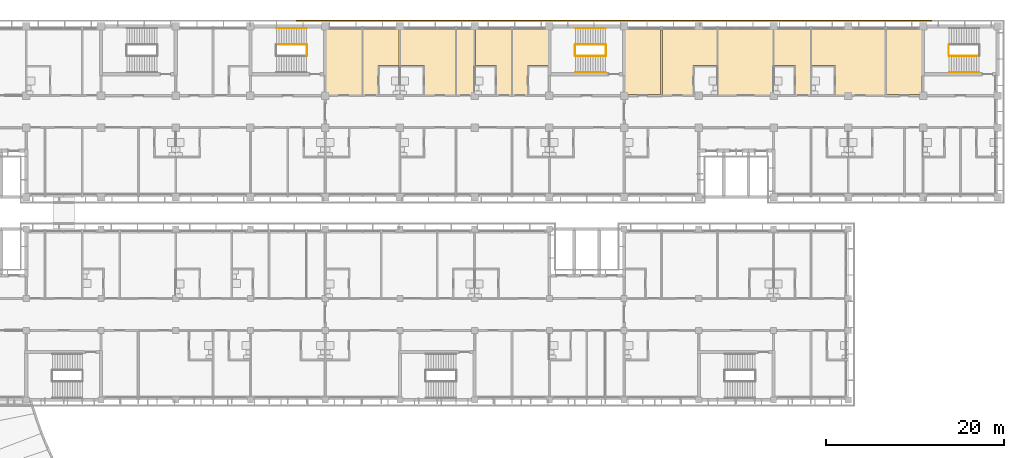
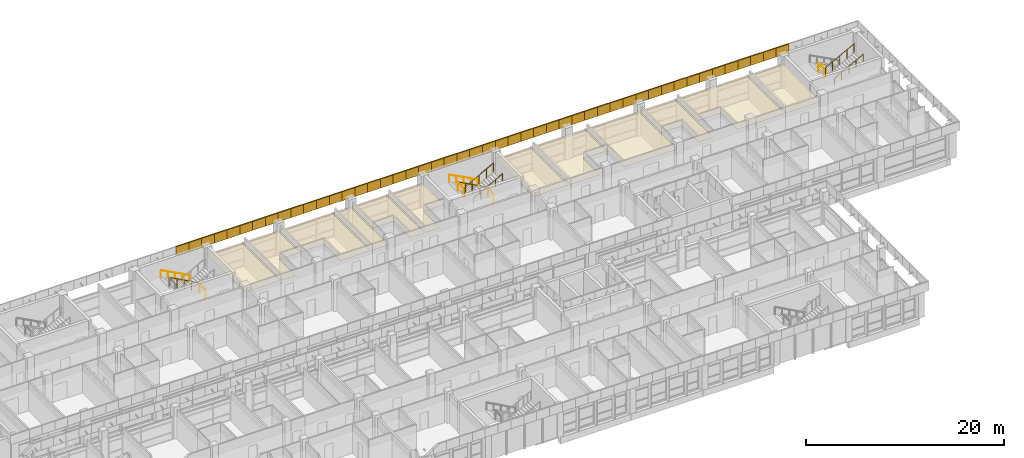
# One storey, part 72 of 74: 60 coverings, 12 railings.
"""IFC4 building model written with IfcOpenShell, lengths in metres."""

from ifc_helpers import new_model, si_unit, direction, frame, origin, origin_2d, place, context, subcontext, project, spatial, polyline, circle, outline, extrude, material, layer, layer_set, type_object, element, save


model = new_model("IFC4")

# Units and contexts
model_context = context("Model", 3, precision=1e-05, world=origin(), true_north=direction((0.0, 1.0)))
body_context = subcontext(model_context, "Body", "Model", "MODEL_VIEW")
ifc_project = project(units=[si_unit("LENGTHUNIT", "METRE"), si_unit("AREAUNIT", "SQUARE_METRE"), si_unit("VOLUMEUNIT", "CUBIC_METRE"), si_unit("PLANEANGLEUNIT", "RADIAN"), si_unit("MASSUNIT", "GRAM", prefix="KILO")], contexts=[model_context])

# Site, building, storey
site_placement = place(None, origin())
site = spatial("IfcSite", under=ifc_project, at=site_placement, CompositionType="ELEMENT")
building_placement = place(site_placement, origin())
building = spatial("IfcBuilding", under=site, at=building_placement, Name="Bougainvillea Quay General Hospital", CompositionType="ELEMENT")
storey_placement = place(building_placement, frame((0.0, 0.0, 21.0)))
storey = spatial("IfcBuildingStorey", under=building, at=storey_placement, Name="L04", CompositionType="ELEMENT", Elevation=21.0)

# Coverings
ifc_material_1 = material(Name="Powder-coated aluminium fascia, white", Category="aluminium")
ifc_layer_1 = layer(ifc_material_1, 0.14990234375)
ifc_layer_set_1 = layer_set([ifc_layer_1], Name="Powder-coated aluminium fascia, white")
covering_type_1 = type_object("IfcCoveringType", Name="Aluminium fascia band white 150x1100", PredefinedType="CLADDING", material=ifc_layer_set_1)
for number, where, z_axis, x_axis, name in (
    (1, (177.362548828125, 160.14990234375, 3.35009765625), (0.0, 0.0, 1.0), (-1.0, 0.0, 0.0), "Fascia band white e0 6"),
    (2, (175.875, 160.14990234375, 3.35009765625), (0.0, 0.0, 1.0), (-1.0, 0.0, 0.0), "Fascia band white e0 7"),
    (3, (174.387451171875, 160.14990234375, 3.35009765625), (0.0, 0.0, 1.0), (-1.0, 0.0, 0.0), "Fascia band white e0 8"),
):
    element("IfcCovering", number, at=place(storey_placement, frame(where, z_axis=z_axis, x_axis=x_axis)), inside=storey, type_object=covering_type_1, Name=name, PredefinedType="CLADDING", context=body_context, shape_type="SweptSolid", body=[
        extrude(outline(polyline([(0.0, 0.0), (1.487548828125, 0.0), (1.487548828125, -0.150146484375), (0.0, -0.150146484375), (0.0, 0.0)])), origin(), (0.0, 0.0, 1.0), 1.10009765625),
    ])
covering_1_placement = place(storey_placement, frame((172.89990234375, 160.14990234375, 3.35009765625), z_axis=(0.0, 0.0, 1.0), x_axis=(-1.0, 0.0, 0.0)))
element("IfcCovering", 4, at=covering_1_placement, inside=storey, type_object=covering_type_1, Name="Fascia band white e0 9", PredefinedType="CLADDING", context=body_context, shape_type="SweptSolid", body=[
    extrude(outline(polyline([(0.0, 0.0), (1.4873046875, 0.0), (1.4873046875, -0.150146484375), (0.0, -0.150146484375), (0.0, 0.0)])), origin(), (0.0, 0.0, 1.0), 1.10009765625),
])
for number, where, z_axis, x_axis, name in (
    (5, (171.41259765625, 160.14990234375, 3.35009765625), (0.0, 0.0, 1.0), (-1.0, 0.0, 0.0), "Fascia band white e0 10"),
    (6, (169.925048828125, 160.14990234375, 3.35009765625), (0.0, 0.0, 1.0), (-1.0, 0.0, 0.0), "Fascia band white e0 11"),
    (7, (168.4375, 160.14990234375, 3.35009765625), (0.0, 0.0, 1.0), (-1.0, 0.0, 0.0), "Fascia band white e0 12"),
    (8, (166.949951171875, 160.14990234375, 3.35009765625), (0.0, 0.0, 1.0), (-1.0, 0.0, 0.0), "Fascia band white e0 13"),
):
    element("IfcCovering", number, at=place(storey_placement, frame(where, z_axis=z_axis, x_axis=x_axis)), inside=storey, type_object=covering_type_1, Name=name, PredefinedType="CLADDING", context=body_context, shape_type="SweptSolid", body=[
        extrude(outline(polyline([(0.0, 0.0), (1.487548828125, 0.0), (1.487548828125, -0.150146484375), (0.0, -0.150146484375), (0.0, 0.0)])), origin(), (0.0, 0.0, 1.0), 1.10009765625),
    ])
covering_2_placement = place(storey_placement, frame((165.46240234375, 160.14990234375, 3.35009765625), z_axis=(0.0, 0.0, 1.0), x_axis=(-1.0, 0.0, 0.0)))
element("IfcCovering", 9, at=covering_2_placement, inside=storey, type_object=covering_type_1, Name="Fascia band white e0 14", PredefinedType="CLADDING", context=body_context, shape_type="SweptSolid", body=[
    extrude(outline(polyline([(0.0, 0.0), (1.4873046875, 0.0), (1.4873046875, -0.150146484375), (0.0, -0.150146484375), (0.0, 0.0)])), origin(), (0.0, 0.0, 1.0), 1.10009765625),
])
for number, where, z_axis, x_axis, name in (
    (10, (163.97509765625, 160.14990234375, 3.35009765625), (0.0, 0.0, 1.0), (-1.0, 0.0, 0.0), "Fascia band white e0 15"),
    (11, (162.487548828125, 160.14990234375, 3.35009765625), (0.0, 0.0, 1.0), (-1.0, 0.0, 0.0), "Fascia band white e0 16"),
    (12, (161.0, 160.14990234375, 3.35009765625), (0.0, 0.0, 1.0), (-1.0, 0.0, 0.0), "Fascia band white e0 17"),
    (13, (159.512451171875, 160.14990234375, 3.35009765625), (0.0, 0.0, 1.0), (-1.0, 0.0, 0.0), "Fascia band white e0 18"),
):
    element("IfcCovering", number, at=place(storey_placement, frame(where, z_axis=z_axis, x_axis=x_axis)), inside=storey, type_object=covering_type_1, Name=name, PredefinedType="CLADDING", context=body_context, shape_type="SweptSolid", body=[
        extrude(outline(polyline([(0.0, 0.0), (1.487548828125, 0.0), (1.487548828125, -0.150146484375), (0.0, -0.150146484375), (0.0, 0.0)])), origin(), (0.0, 0.0, 1.0), 1.10009765625),
    ])
covering_3_placement = place(storey_placement, frame((158.02490234375, 160.14990234375, 3.35009765625), z_axis=(0.0, 0.0, 1.0), x_axis=(-1.0, 0.0, 0.0)))
element("IfcCovering", 14, at=covering_3_placement, inside=storey, type_object=covering_type_1, Name="Fascia band white e0 19", PredefinedType="CLADDING", context=body_context, shape_type="SweptSolid", body=[
    extrude(outline(polyline([(0.0, 0.0), (1.4873046875, 0.0), (1.4873046875, -0.150146484375), (0.0, -0.150146484375), (0.0, 0.0)])), origin(), (0.0, 0.0, 1.0), 1.10009765625),
])
for number, where, z_axis, x_axis, name in (
    (15, (156.53759765625, 160.14990234375, 3.35009765625), (0.0, 0.0, 1.0), (-1.0, 0.0, 0.0), "Fascia band white e0 20"),
    (16, (155.050048828125, 160.14990234375, 3.35009765625), (0.0, 0.0, 1.0), (-1.0, 0.0, 0.0), "Fascia band white e0 21"),
    (17, (153.5625, 160.14990234375, 3.35009765625), (0.0, 0.0, 1.0), (-1.0, 0.0, 0.0), "Fascia band white e0 22"),
    (18, (152.074951171875, 160.14990234375, 3.35009765625), (0.0, 0.0, 1.0), (-1.0, 0.0, 0.0), "Fascia band white e0 23"),
):
    element("IfcCovering", number, at=place(storey_placement, frame(where, z_axis=z_axis, x_axis=x_axis)), inside=storey, type_object=covering_type_1, Name=name, PredefinedType="CLADDING", context=body_context, shape_type="SweptSolid", body=[
        extrude(outline(polyline([(0.0, 0.0), (1.487548828125, 0.0), (1.487548828125, -0.150146484375), (0.0, -0.150146484375), (0.0, 0.0)])), origin(), (0.0, 0.0, 1.0), 1.10009765625),
    ])
covering_4_placement = place(storey_placement, frame((150.58740234375, 160.14990234375, 3.35009765625), z_axis=(0.0, 0.0, 1.0), x_axis=(-1.0, 0.0, 0.0)))
element("IfcCovering", 19, at=covering_4_placement, inside=storey, type_object=covering_type_1, Name="Fascia band white e0 24", PredefinedType="CLADDING", context=body_context, shape_type="SweptSolid", body=[
    extrude(outline(polyline([(0.0, 0.0), (1.4873046875, 0.0), (1.4873046875, -0.150146484375), (0.0, -0.150146484375), (0.0, 0.0)])), origin(), (0.0, 0.0, 1.0), 1.10009765625),
])
for number, where, z_axis, x_axis, name in (
    (20, (149.10009765625, 160.14990234375, 3.35009765625), (0.0, 0.0, 1.0), (-1.0, 0.0, 0.0), "Fascia band white e0 25"),
    (21, (147.612548828125, 160.14990234375, 3.35009765625), (0.0, 0.0, 1.0), (-1.0, 0.0, 0.0), "Fascia band white e0 26"),
    (22, (146.125, 160.14990234375, 3.35009765625), (0.0, 0.0, 1.0), (-1.0, 0.0, 0.0), "Fascia band white e0 27"),
    (23, (144.637451171875, 160.14990234375, 3.35009765625), (0.0, 0.0, 1.0), (-1.0, 0.0, 0.0), "Fascia band white e0 28"),
):
    element("IfcCovering", number, at=place(storey_placement, frame(where, z_axis=z_axis, x_axis=x_axis)), inside=storey, type_object=covering_type_1, Name=name, PredefinedType="CLADDING", context=body_context, shape_type="SweptSolid", body=[
        extrude(outline(polyline([(0.0, 0.0), (1.487548828125, 0.0), (1.487548828125, -0.150146484375), (0.0, -0.150146484375), (0.0, 0.0)])), origin(), (0.0, 0.0, 1.0), 1.10009765625),
    ])
covering_5_placement = place(storey_placement, frame((143.14990234375, 160.14990234375, 3.35009765625), z_axis=(0.0, 0.0, 1.0), x_axis=(-1.0, 0.0, 0.0)))
element("IfcCovering", 24, at=covering_5_placement, inside=storey, type_object=covering_type_1, Name="Fascia band white e0 29", PredefinedType="CLADDING", context=body_context, shape_type="SweptSolid", body=[
    extrude(outline(polyline([(0.0, 0.0), (1.4873046875, 0.0), (1.4873046875, -0.150146484375), (0.0, -0.150146484375), (0.0, 0.0)])), origin(), (0.0, 0.0, 1.0), 1.10009765625),
])
for number, where, z_axis, x_axis, name in (
    (25, (141.66259765625, 160.14990234375, 3.35009765625), (0.0, 0.0, 1.0), (-1.0, 0.0, 0.0), "Fascia band white e0 30"),
    (26, (140.175048828125, 160.14990234375, 3.35009765625), (0.0, 0.0, 1.0), (-1.0, 0.0, 0.0), "Fascia band white e0 31"),
    (27, (138.6875, 160.14990234375, 3.35009765625), (0.0, 0.0, 1.0), (-1.0, 0.0, 0.0), "Fascia band white e0 32"),
    (28, (137.199951171875, 160.14990234375, 3.35009765625), (0.0, 0.0, 1.0), (-1.0, 0.0, 0.0), "Fascia band white e0 33"),
):
    element("IfcCovering", number, at=place(storey_placement, frame(where, z_axis=z_axis, x_axis=x_axis)), inside=storey, type_object=covering_type_1, Name=name, PredefinedType="CLADDING", context=body_context, shape_type="SweptSolid", body=[
        extrude(outline(polyline([(0.0, 0.0), (1.487548828125, 0.0), (1.487548828125, -0.150146484375), (0.0, -0.150146484375), (0.0, 0.0)])), origin(), (0.0, 0.0, 1.0), 1.10009765625),
    ])
covering_6_placement = place(storey_placement, frame((135.71240234375, 160.14990234375, 3.35009765625), z_axis=(0.0, 0.0, 1.0), x_axis=(-1.0, 0.0, 0.0)))
element("IfcCovering", 29, at=covering_6_placement, inside=storey, type_object=covering_type_1, Name="Fascia band white e0 34", PredefinedType="CLADDING", context=body_context, shape_type="SweptSolid", body=[
    extrude(outline(polyline([(0.0, 0.0), (1.4873046875, 0.0), (1.4873046875, -0.150146484375), (0.0, -0.150146484375), (0.0, 0.0)])), origin(), (0.0, 0.0, 1.0), 1.10009765625),
])
for number, where, z_axis, x_axis, name in (
    (30, (134.22509765625, 160.14990234375, 3.35009765625), (0.0, 0.0, 1.0), (-1.0, 0.0, 0.0), "Fascia band white e0 35"),
    (31, (132.737548828125, 160.14990234375, 3.35009765625), (0.0, 0.0, 1.0), (-1.0, 0.0, 0.0), "Fascia band white e0 36"),
    (32, (131.25, 160.14990234375, 3.35009765625), (0.0, 0.0, 1.0), (-1.0, 0.0, 0.0), "Fascia band white e0 37"),
    (33, (129.762451171875, 160.14990234375, 3.35009765625), (0.0, 0.0, 1.0), (-1.0, 0.0, 0.0), "Fascia band white e0 38"),
):
    element("IfcCovering", number, at=place(storey_placement, frame(where, z_axis=z_axis, x_axis=x_axis)), inside=storey, type_object=covering_type_1, Name=name, PredefinedType="CLADDING", context=body_context, shape_type="SweptSolid", body=[
        extrude(outline(polyline([(0.0, 0.0), (1.487548828125, 0.0), (1.487548828125, -0.150146484375), (0.0, -0.150146484375), (0.0, 0.0)])), origin(), (0.0, 0.0, 1.0), 1.10009765625),
    ])
covering_7_placement = place(storey_placement, frame((128.27490234375, 160.14990234375, 3.35009765625), z_axis=(0.0, 0.0, 1.0), x_axis=(-1.0, 0.0, 0.0)))
element("IfcCovering", 34, at=covering_7_placement, inside=storey, type_object=covering_type_1, Name="Fascia band white e0 39", PredefinedType="CLADDING", context=body_context, shape_type="SweptSolid", body=[
    extrude(outline(polyline([(0.0, 0.0), (1.4873046875, 0.0), (1.4873046875, -0.150146484375), (0.0, -0.150146484375), (0.0, 0.0)])), origin(), (0.0, 0.0, 1.0), 1.10009765625),
])
for number, where, z_axis, x_axis, name in (
    (35, (126.78759765625, 160.14990234375, 3.35009765625), (0.0, 0.0, 1.0), (-1.0, 0.0, 0.0), "Fascia band white e0 40"),
    (36, (125.300048828125, 160.14990234375, 3.35009765625), (0.0, 0.0, 1.0), (-1.0, 0.0, 0.0), "Fascia band white e0 41"),
    (37, (123.8125, 160.14990234375, 3.35009765625), (0.0, 0.0, 1.0), (-1.0, 0.0, 0.0), "Fascia band white e0 42"),
    (38, (122.324951171875, 160.14990234375, 3.35009765625), (0.0, 0.0, 1.0), (-1.0, 0.0, 0.0), "Fascia band white e0 43"),
):
    element("IfcCovering", number, at=place(storey_placement, frame(where, z_axis=z_axis, x_axis=x_axis)), inside=storey, type_object=covering_type_1, Name=name, PredefinedType="CLADDING", context=body_context, shape_type="SweptSolid", body=[
        extrude(outline(polyline([(0.0, 0.0), (1.487548828125, 0.0), (1.487548828125, -0.150146484375), (0.0, -0.150146484375), (0.0, 0.0)])), origin(), (0.0, 0.0, 1.0), 1.10009765625),
    ])
covering_8_placement = place(storey_placement, frame((120.83740234375, 160.14990234375, 3.35009765625), z_axis=(0.0, 0.0, 1.0), x_axis=(-1.0, 0.0, 0.0)))
element("IfcCovering", 39, at=covering_8_placement, inside=storey, type_object=covering_type_1, Name="Fascia band white e0 44", PredefinedType="CLADDING", context=body_context, shape_type="SweptSolid", body=[
    extrude(outline(polyline([(0.0, 0.0), (1.4873046875, 0.0), (1.4873046875, -0.150146484375), (0.0, -0.150146484375), (0.0, 0.0)])), origin(), (0.0, 0.0, 1.0), 1.10009765625),
])
for number, where, z_axis, x_axis, name in (
    (40, (119.35009765625, 160.14990234375, 3.35009765625), (0.0, 0.0, 1.0), (-1.0, 0.0, 0.0), "Fascia band white e0 45"),
    (41, (117.862548828125, 160.14990234375, 3.35009765625), (0.0, 0.0, 1.0), (-1.0, 0.0, 0.0), "Fascia band white e0 46"),
    (42, (116.375, 160.14990234375, 3.35009765625), (0.0, 0.0, 1.0), (-1.0, 0.0, 0.0), "Fascia band white e0 47"),
    (43, (114.887451171875, 160.14990234375, 3.35009765625), (0.0, 0.0, 1.0), (-1.0, 0.0, 0.0), "Fascia band white e0 48"),
):
    element("IfcCovering", number, at=place(storey_placement, frame(where, z_axis=z_axis, x_axis=x_axis)), inside=storey, type_object=covering_type_1, Name=name, PredefinedType="CLADDING", context=body_context, shape_type="SweptSolid", body=[
        extrude(outline(polyline([(0.0, 0.0), (1.487548828125, 0.0), (1.487548828125, -0.150146484375), (0.0, -0.150146484375), (0.0, 0.0)])), origin(), (0.0, 0.0, 1.0), 1.10009765625),
    ])
covering_9_placement = place(storey_placement, frame((113.39990234375, 160.14990234375, 3.35009765625), z_axis=(0.0, 0.0, 1.0), x_axis=(-1.0, 0.0, 0.0)))
element("IfcCovering", 44, at=covering_9_placement, inside=storey, type_object=covering_type_1, Name="Fascia band white e0 49", PredefinedType="CLADDING", context=body_context, shape_type="SweptSolid", body=[
    extrude(outline(polyline([(0.0, 0.0), (1.4873046875, 0.0), (1.4873046875, -0.150146484375), (0.0, -0.150146484375), (0.0, 0.0)])), origin(), (0.0, 0.0, 1.0), 1.10009765625),
])
for number, where, z_axis, x_axis, name in (
    (45, (111.91259765625, 160.14990234375, 3.35009765625), (0.0, 0.0, 1.0), (-1.0, 0.0, 0.0), "Fascia band white e0 50"),
    (46, (110.425048828125, 160.14990234375, 3.35009765625), (0.0, 0.0, 1.0), (-1.0, 0.0, 0.0), "Fascia band white e0 51"),
    (47, (108.9375, 160.14990234375, 3.35009765625), (0.0, 0.0, 1.0), (-1.0, 0.0, 0.0), "Fascia band white e0 52"),
    (48, (107.449951171875, 160.14990234375, 3.35009765625), (0.0, 0.0, 1.0), (-1.0, 0.0, 0.0), "Fascia band white e0 53"),
):
    element("IfcCovering", number, at=place(storey_placement, frame(where, z_axis=z_axis, x_axis=x_axis)), inside=storey, type_object=covering_type_1, Name=name, PredefinedType="CLADDING", context=body_context, shape_type="SweptSolid", body=[
        extrude(outline(polyline([(0.0, 0.0), (1.487548828125, 0.0), (1.487548828125, -0.150146484375), (0.0, -0.150146484375), (0.0, 0.0)])), origin(), (0.0, 0.0, 1.0), 1.10009765625),
    ])

# Railings
ifc_material_2 = material(Name="Stainless steel 304 balustrade", Category="steel")
railing_type_1 = type_object("IfcRailingType", Name="Stair guard 1100", PredefinedType="GUARDRAIL", material=ifc_material_2)
railing_1_placement = place(storey_placement, frame((140.699951171875, 157.550048828125, 0.14990234375)))
element("IfcRailing", 49, at=railing_1_placement, inside=storey, type_object=railing_type_1, Name="L04 ST-A3 stair guard 1", PredefinedType="GUARDRAIL", context=body_context, shape_type="SweptSolid", body=[
    extrude(circle(Radius=0.02392578125, at=origin_2d()), frame((0.0, 0.0, 1.076171875), z_axis=(-0.881466638993, 0.0, 0.472246296272), x_axis=(0.0, -1.0, 0.0)), (0.0, 0.0, 1.0), 3.811767578125),
    extrude(circle(Radius=0.02099609375, at=origin_2d()), origin(), (0.0, 0.0, 1.0), 1.052001953125),
    extrude(circle(Radius=0.02099609375, at=origin_2d()), frame((-0.83984375, 0.0, 0.449951171875)), (0.0, 0.0, 1.0), 1.052001953125),
    extrude(circle(Radius=0.02099609375, at=origin_2d()), frame((-1.679931640625, 0.0, 0.89990234375)), (0.0, 0.0, 1.0), 1.052001953125),
    extrude(circle(Radius=0.02099609375, at=origin_2d()), frame((-2.52001953125, 0.0, 1.35009765625)), (0.0, 0.0, 1.0), 1.052001953125),
    extrude(circle(Radius=0.02099609375, at=origin_2d()), frame((-3.35986328125, 0.0, 1.800048828125)), (0.0, 0.0, 1.0), 1.052001953125),
])
railing_2_placement = place(storey_placement, frame((137.2900390625, 157.5, 1.949951171875)))
element("IfcRailing", 50, at=railing_2_placement, inside=storey, type_object=railing_type_1, Name="L04 ST-A3 stair guard 2", PredefinedType="GUARDRAIL", context=body_context, shape_type="SweptSolid", body=[
    extrude(circle(Radius=0.02392578125, at=origin_2d()), frame((0.0, 0.0, 1.076171875), z_axis=(0.0, -1.0, 0.0), x_axis=(1.0, 0.0, 0.0)), (0.0, 0.0, 1.0), 1.199951171875),
    extrude(circle(Radius=0.02099609375, at=origin_2d()), origin(), (0.0, 0.0, 1.0), 1.052001953125),
    extrude(circle(Radius=0.02099609375, at=origin_2d()), frame((0.0, -1.199951171875, 0.0)), (0.0, 0.0, 1.0), 1.052001953125),
])
railing_3_placement = place(storey_placement, frame((137.340087890625, 156.25, 2.10009765625)))
element("IfcRailing", 51, at=railing_3_placement, inside=storey, type_object=railing_type_1, Name="L04 ST-A3 stair guard 3", PredefinedType="GUARDRAIL", context=body_context, shape_type="SweptSolid", body=[
    extrude(circle(Radius=0.02392578125, at=origin_2d()), frame((0.0, 0.0, 1.076171875), z_axis=(0.881493300765, 0.0, 0.47219652763), x_axis=(0.0, 1.0, 0.0)), (0.0, 0.0, 1.0), 3.8115234375),
    extrude(circle(Radius=0.02099609375, at=origin_2d()), origin(), (0.0, 0.0, 1.0), 1.052001953125),
    extrude(circle(Radius=0.02099609375, at=origin_2d()), frame((0.83984375, 0.0, 0.449951171875)), (0.0, 0.0, 1.0), 1.052001953125),
    extrude(circle(Radius=0.02099609375, at=origin_2d()), frame((1.679931640625, 0.0, 0.89990234375)), (0.0, 0.0, 1.0), 1.052001953125),
    extrude(circle(Radius=0.02099609375, at=origin_2d()), frame((2.52001953125, 0.0, 1.349853515625)), (0.0, 0.0, 1.0), 1.052001953125),
    extrude(circle(Radius=0.02099609375, at=origin_2d()), frame((3.35986328125, 0.0, 1.7998046875)), (0.0, 0.0, 1.0), 1.052001953125),
])
for number, where, name in (
    (52, (140.75, 157.5, 0.0), "L04 ST-A3 stair guard 4"),
    (53, (179.2900390625, 157.5, 1.949951171875), "L04 ST-A4 stair guard 2"),
):
    element("IfcRailing", number, at=place(storey_placement, frame(where)), inside=storey, type_object=railing_type_1, Name=name, PredefinedType="GUARDRAIL", context=body_context, shape_type="SweptSolid", body=[
        extrude(circle(Radius=0.02392578125, at=origin_2d()), frame((0.0, 0.0, 1.076171875), z_axis=(0.0, -1.0, 0.0), x_axis=(1.0, 0.0, 0.0)), (0.0, 0.0, 1.0), 1.199951171875),
        extrude(circle(Radius=0.02099609375, at=origin_2d()), origin(), (0.0, 0.0, 1.0), 1.052001953125),
        extrude(circle(Radius=0.02099609375, at=origin_2d()), frame((0.0, -1.199951171875, 0.0)), (0.0, 0.0, 1.0), 1.052001953125),
    ])
railing_4_placement = place(storey_placement, frame((179.340087890625, 156.25, 2.10009765625)))
element("IfcRailing", 54, at=railing_4_placement, inside=storey, type_object=railing_type_1, Name="L04 ST-A4 stair guard 3", PredefinedType="GUARDRAIL", context=body_context, shape_type="SweptSolid", body=[
    extrude(circle(Radius=0.02392578125, at=origin_2d()), frame((0.0, 0.0, 1.076171875), z_axis=(0.881493300765, 0.0, 0.47219652763), x_axis=(0.0, 1.0, 0.0)), (0.0, 0.0, 1.0), 3.8115234375),
    extrude(circle(Radius=0.02099609375, at=origin_2d()), origin(), (0.0, 0.0, 1.0), 1.052001953125),
    extrude(circle(Radius=0.02099609375, at=origin_2d()), frame((0.83984375, 0.0, 0.449951171875)), (0.0, 0.0, 1.0), 1.052001953125),
    extrude(circle(Radius=0.02099609375, at=origin_2d()), frame((1.679931640625, 0.0, 0.89990234375)), (0.0, 0.0, 1.0), 1.052001953125),
    extrude(circle(Radius=0.02099609375, at=origin_2d()), frame((2.52001953125, 0.0, 1.349853515625)), (0.0, 0.0, 1.0), 1.052001953125),
    extrude(circle(Radius=0.02099609375, at=origin_2d()), frame((3.35986328125, 0.0, 1.7998046875)), (0.0, 0.0, 1.0), 1.052001953125),
])
railing_5_placement = place(storey_placement, frame((107.10009765625, 157.550048828125, 0.14990234375)))
element("IfcRailing", 55, at=railing_5_placement, inside=storey, type_object=railing_type_1, Name="L04 ST-A5 stair guard 1", PredefinedType="GUARDRAIL", context=body_context, shape_type="SweptSolid", body=[
    extrude(circle(Radius=0.02392578125, at=origin_2d()), frame((0.0, 0.0, 1.076171875), z_axis=(-0.881480922165, 0.0, 0.47221963519), x_axis=(0.0, -1.0, 0.0)), (0.0, 0.0, 1.0), 3.811767578125),
    extrude(circle(Radius=0.02099609375, at=origin_2d()), origin(), (0.0, 0.0, 1.0), 1.052001953125),
    extrude(circle(Radius=0.02099609375, at=origin_2d()), frame((-0.840087890625, 0.0, 0.449951171875)), (0.0, 0.0, 1.0), 1.052001953125),
    extrude(circle(Radius=0.02099609375, at=origin_2d()), frame((-1.68017578125, 0.0, 0.89990234375)), (0.0, 0.0, 1.0), 1.052001953125),
    extrude(circle(Radius=0.02099609375, at=origin_2d()), frame((-2.52001953125, 0.0, 1.35009765625)), (0.0, 0.0, 1.0), 1.052001953125),
    extrude(circle(Radius=0.02099609375, at=origin_2d()), frame((-3.360107421875, 0.0, 1.800048828125)), (0.0, 0.0, 1.0), 1.052001953125),
])
railing_6_placement = place(storey_placement, frame((107.14990234375, 157.5, 0.0)))
element("IfcRailing", 56, at=railing_6_placement, inside=storey, type_object=railing_type_1, Name="L04 ST-A5 stair guard 4", PredefinedType="GUARDRAIL", context=body_context, shape_type="SweptSolid", body=[
    extrude(circle(Radius=0.02392578125, at=origin_2d()), frame((0.0, 0.0, 1.076171875), z_axis=(0.0, -1.0, 0.0), x_axis=(1.0, 0.0, 0.0)), (0.0, 0.0, 1.0), 1.199951171875),
    extrude(circle(Radius=0.02099609375, at=origin_2d()), origin(), (0.0, 0.0, 1.0), 1.052001953125),
    extrude(circle(Radius=0.02099609375, at=origin_2d()), frame((0.0, -1.199951171875, 0.0)), (0.0, 0.0, 1.0), 1.052001953125),
])
ifc_material_3 = material(Name="Stainless steel 304 handrail", Category="steel")
railing_type_2 = type_object("IfcRailingType", Name="Stair handrail 900", PredefinedType="HANDRAIL", material=ifc_material_3)
railing_7_placement = place(storey_placement, frame((140.699951171875, 159.375, 0.14990234375)))
element("IfcRailing", 57, at=railing_7_placement, inside=storey, type_object=railing_type_2, Name="L04 ST-A3 stair handrail 1", PredefinedType="HANDRAIL", context=body_context, shape_type="SweptSolid", body=[
    extrude(circle(Radius=0.02392578125, at=origin_2d()), frame((0.0, 0.0, 0.8759765625), z_axis=(-0.881466638993, 0.0, 0.472246296272), x_axis=(0.0, -1.0, 0.0)), (0.0, 0.0, 1.0), 3.811767578125),
    extrude(circle(Radius=0.02099609375, at=origin_2d()), origin(), (0.0, 0.0, 1.0), 0.851806640625),
    extrude(circle(Radius=0.02099609375, at=origin_2d()), frame((-0.83984375, 0.0, 0.449951171875)), (0.0, 0.0, 1.0), 0.851806640625),
    extrude(circle(Radius=0.02099609375, at=origin_2d()), frame((-1.679931640625, 0.0, 0.89990234375)), (0.0, 0.0, 1.0), 0.851806640625),
    extrude(circle(Radius=0.02099609375, at=origin_2d()), frame((-2.52001953125, 0.0, 1.35009765625)), (0.0, 0.0, 1.0), 0.851806640625),
    extrude(circle(Radius=0.02099609375, at=origin_2d()), frame((-3.35986328125, 0.0, 1.800048828125)), (0.0, 0.0, 1.0), 0.851806640625),
])
for number, where, name in (
    (58, (137.340087890625, 154.425048828125, 2.10009765625), "L04 ST-A3 stair handrail 2"),
    (59, (179.340087890625, 154.425048828125, 2.10009765625), "L04 ST-A4 stair handrail 2"),
):
    element("IfcRailing", number, at=place(storey_placement, frame(where)), inside=storey, type_object=railing_type_2, Name=name, PredefinedType="HANDRAIL", context=body_context, shape_type="SweptSolid", body=[
        extrude(circle(Radius=0.02392578125, at=origin_2d()), frame((0.0, 0.0, 0.8759765625), z_axis=(0.881493300765, 0.0, 0.47219652763), x_axis=(0.0, 1.0, 0.0)), (0.0, 0.0, 1.0), 3.8115234375),
        extrude(circle(Radius=0.02099609375, at=origin_2d()), origin(), (0.0, 0.0, 1.0), 0.851806640625),
        extrude(circle(Radius=0.02099609375, at=origin_2d()), frame((0.83984375, 0.0, 0.449951171875)), (0.0, 0.0, 1.0), 0.851806640625),
        extrude(circle(Radius=0.02099609375, at=origin_2d()), frame((1.679931640625, 0.0, 0.89990234375)), (0.0, 0.0, 1.0), 0.851806640625),
        extrude(circle(Radius=0.02099609375, at=origin_2d()), frame((2.52001953125, 0.0, 1.349853515625)), (0.0, 0.0, 1.0), 0.851806640625),
        extrude(circle(Radius=0.02099609375, at=origin_2d()), frame((3.35986328125, 0.0, 1.7998046875)), (0.0, 0.0, 1.0), 0.851806640625),
    ])
railing_8_placement = place(storey_placement, frame((107.10009765625, 159.375, 0.14990234375)))
element("IfcRailing", 60, at=railing_8_placement, inside=storey, type_object=railing_type_2, Name="L04 ST-A5 stair handrail 1", PredefinedType="HANDRAIL", context=body_context, shape_type="SweptSolid", body=[
    extrude(circle(Radius=0.02392578125, at=origin_2d()), frame((0.0, 0.0, 0.8759765625), z_axis=(-0.881480922165, 0.0, 0.47221963519), x_axis=(0.0, -1.0, 0.0)), (0.0, 0.0, 1.0), 3.811767578125),
    extrude(circle(Radius=0.02099609375, at=origin_2d()), origin(), (0.0, 0.0, 1.0), 0.851806640625),
    extrude(circle(Radius=0.02099609375, at=origin_2d()), frame((-0.840087890625, 0.0, 0.449951171875)), (0.0, 0.0, 1.0), 0.851806640625),
    extrude(circle(Radius=0.02099609375, at=origin_2d()), frame((-1.68017578125, 0.0, 0.89990234375)), (0.0, 0.0, 1.0), 0.851806640625),
    extrude(circle(Radius=0.02099609375, at=origin_2d()), frame((-2.52001953125, 0.0, 1.35009765625)), (0.0, 0.0, 1.0), 0.851806640625),
    extrude(circle(Radius=0.02099609375, at=origin_2d()), frame((-3.360107421875, 0.0, 1.800048828125)), (0.0, 0.0, 1.0), 0.851806640625),
])

# Coverings
ifc_material_4 = material(Name="Mineral fibre ceiling tile")
ifc_layer_2 = layer(ifc_material_4, 0.030029296875)
ifc_layer_set_2 = layer_set([ifc_layer_2], Name="Mineral fibre ceiling tile")
covering_type_2 = type_object("IfcCoveringType", Name="Suspended ceiling mineral fibre tile", PredefinedType="CEILING", material=ifc_layer_set_2)
covering_10_placement = place(storey_placement, frame((0.0, 0.0, 2.699951171875)))
element("IfcCovering", 61, at=covering_10_placement, inside=storey, type_object=covering_type_2, Name="Ceiling Refuge Room RR-A3-L04", PredefinedType="CEILING", context=body_context, shape_type="SweptSolid", body=[
    extrude(outline(polyline([(142.89990234375, 159.60009765625), (142.89990234375, 151.89990234375), (146.89990234375, 151.89990234375), (146.89990234375, 159.60009765625), (142.89990234375, 159.60009765625)])), origin(), (0.0, 0.0, 1.0), 0.030029296875),
])
covering_11_placement = place(storey_placement, frame((0.0, 0.0, 2.699951171875)))
element("IfcCovering", 62, at=covering_11_placement, inside=storey, type_object=covering_type_2, Name="Ceiling Refuge Room RR-A4-L04", PredefinedType="CEILING", context=body_context, shape_type="SweptSolid", body=[
    extrude(outline(polyline([(172.300048828125, 159.60009765625), (172.300048828125, 151.89990234375), (176.300048828125, 151.89990234375), (176.300048828125, 159.60009765625), (172.300048828125, 159.60009765625)])), origin(), (0.0, 0.0, 1.0), 0.030029296875),
])
covering_12_placement = place(storey_placement, frame((0.0, 0.0, 2.699951171875)))
element("IfcCovering", 63, at=covering_12_placement, inside=storey, type_object=covering_type_2, Name="Ceiling Treatment and Clean Utility Room 04A22", PredefinedType="CEILING", context=body_context, shape_type="SweptSolid", body=[
    extrude(outline(polyline([(109.25, 159.60009765625), (109.25, 154.300048828125), (109.300048828125, 154.300048828125), (109.300048828125, 151.875), (113.324951171875, 151.875), (113.324951171875, 159.60009765625), (109.25, 159.60009765625)])), origin(), (0.0, 0.0, 1.0), 0.030029296875),
])
covering_13_placement = place(storey_placement, frame((0.0, 0.0, 2.699951171875)))
element("IfcCovering", 64, at=covering_13_placement, inside=storey, type_object=covering_type_2, Name="Ceiling Post-operative Patient Room 04A23", PredefinedType="CEILING", context=body_context, shape_type="SweptSolid", body=[
    extrude(outline(polyline([(113.47509765625, 159.60009765625), (113.47509765625, 151.875), (115.125, 151.875), (115.125, 155.175048828125), (117.52490234375, 155.175048828125), (117.52490234375, 159.60009765625), (113.47509765625, 159.60009765625)])), origin(), (0.0, 0.0, 1.0), 0.030029296875),
])
covering_14_placement = place(storey_placement, frame((0.0, 0.0, 2.699951171875)))
element("IfcCovering", 65, at=covering_14_placement, inside=storey, type_object=covering_type_2, Name="Ceiling Two-bed Surgical Room 04A24", PredefinedType="CEILING", context=body_context, shape_type="SweptSolid", body=[
    extrude(outline(polyline([(117.675048828125, 159.60009765625), (117.675048828125, 155.175048828125), (120.375, 155.175048828125), (120.375, 151.875), (123.824951171875, 151.875), (123.824951171875, 159.60009765625), (117.675048828125, 159.60009765625)])), origin(), (0.0, 0.0, 1.0), 0.030029296875),
])
covering_15_placement = place(storey_placement, frame((0.0, 0.0, 2.699951171875)))
element("IfcCovering", 66, at=covering_15_placement, inside=storey, type_object=covering_type_2, Name="Ceiling Dirty Utility and Sluice Room 04A25", PredefinedType="CEILING", context=body_context, shape_type="SweptSolid", body=[
    extrude(outline(polyline([(123.97509765625, 159.60009765625), (123.97509765625, 151.875), (125.949951171875, 151.875), (125.949951171875, 155.02490234375), (125.925048828125, 155.02490234375), (125.925048828125, 159.60009765625), (123.97509765625, 159.60009765625)])), origin(), (0.0, 0.0, 1.0), 0.030029296875),
])
covering_16_placement = place(storey_placement, frame((0.0, 0.0, 2.699951171875)))
element("IfcCovering", 67, at=covering_16_placement, inside=storey, type_object=covering_type_2, Name="Ceiling Post-operative Patient Room 04A26", PredefinedType="CEILING", context=body_context, shape_type="SweptSolid", body=[
    extrude(outline(polyline([(126.074951171875, 159.60009765625), (126.074951171875, 155.175048828125), (128.47509765625, 155.175048828125), (128.47509765625, 151.875), (130.125, 151.875), (130.125, 159.60009765625), (126.074951171875, 159.60009765625)])), origin(), (0.0, 0.0, 1.0), 0.030029296875),
])
covering_17_placement = place(storey_placement, frame((0.0, 0.0, 2.699951171875)))
element("IfcCovering", 68, at=covering_17_placement, inside=storey, type_object=covering_type_2, Name="Ceiling Post-operative Patient Room 04A27", PredefinedType="CEILING", context=body_context, shape_type="SweptSolid", body=[
    extrude(outline(polyline([(130.27490234375, 159.60009765625), (130.27490234375, 151.875), (131.925048828125, 151.875), (131.925048828125, 155.175048828125), (134.324951171875, 155.175048828125), (134.324951171875, 159.60009765625), (130.27490234375, 159.60009765625)])), origin(), (0.0, 0.0, 1.0), 0.030029296875),
])
covering_18_placement = place(storey_placement, frame((0.0, 0.0, 2.699951171875)))
element("IfcCovering", 69, at=covering_18_placement, inside=storey, type_object=covering_type_2, Name="Ceiling Two-bed Surgical Room 04A29", PredefinedType="CEILING", context=body_context, shape_type="SweptSolid", body=[
    extrude(outline(polyline([(147.10009765625, 159.60009765625), (147.10009765625, 151.875), (150.52490234375, 151.875), (150.52490234375, 155.175048828125), (153.22509765625, 155.175048828125), (153.22509765625, 159.60009765625), (147.10009765625, 159.60009765625)])), origin(), (0.0, 0.0, 1.0), 0.030029296875),
])
covering_19_placement = place(storey_placement, frame((0.0, 0.0, 2.699951171875)))
element("IfcCovering", 70, at=covering_19_placement, inside=storey, type_object=covering_type_2, Name="Ceiling Nurses' Station 04A30", PredefinedType="CEILING", context=body_context, shape_type="SweptSolid", body=[
    extrude(outline(polyline([(153.375, 159.60009765625), (153.375, 155.02490234375), (153.35009765625, 155.02490234375), (153.35009765625, 151.875), (159.550048828125, 151.875), (159.550048828125, 155.02490234375), (159.52490234375, 155.02490234375), (159.52490234375, 159.60009765625), (153.375, 159.60009765625)])), origin(), (0.0, 0.0, 1.0), 0.030029296875),
])
covering_20_placement = place(storey_placement, frame((0.0, 0.0, 2.699951171875)))
element("IfcCovering", 71, at=covering_20_placement, inside=storey, type_object=covering_type_2, Name="Ceiling Post-operative Patient Room 04A31", PredefinedType="CEILING", context=body_context, shape_type="SweptSolid", body=[
    extrude(outline(polyline([(159.675048828125, 159.60009765625), (159.675048828125, 155.175048828125), (162.074951171875, 155.175048828125), (162.074951171875, 151.875), (163.72509765625, 151.875), (163.72509765625, 159.60009765625), (159.675048828125, 159.60009765625)])), origin(), (0.0, 0.0, 1.0), 0.030029296875),
])
covering_21_placement = place(storey_placement, frame((0.0, 0.0, 2.699951171875)))
element("IfcCovering", 72, at=covering_21_placement, inside=storey, type_object=covering_type_2, Name="Ceiling Surgical Ward Room 04A32", PredefinedType="CEILING", context=body_context, shape_type="SweptSolid", body=[
    extrude(outline(polyline([(163.875, 159.60009765625), (163.875, 155.175048828125), (166.574951171875, 155.175048828125), (166.574951171875, 151.875), (172.10009765625, 151.875), (172.10009765625, 159.60009765625), (163.875, 159.60009765625)])), origin(), (0.0, 0.0, 1.0), 0.030029296875),
])

save(model, "model.ifc")
